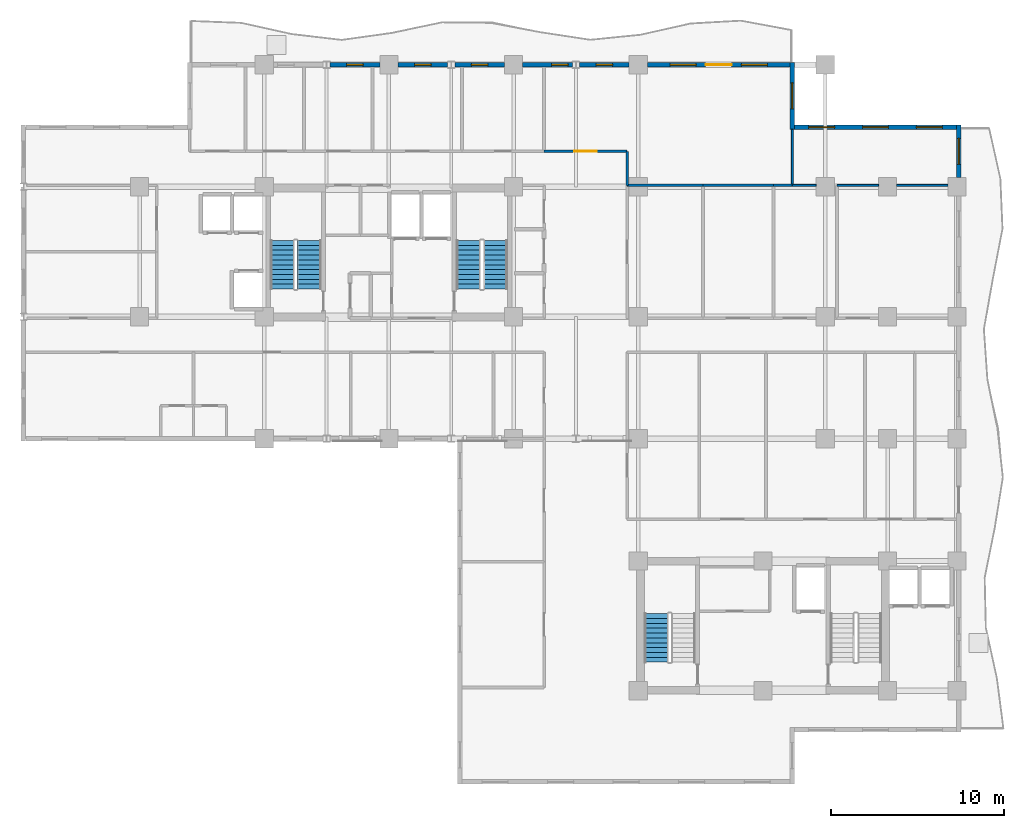
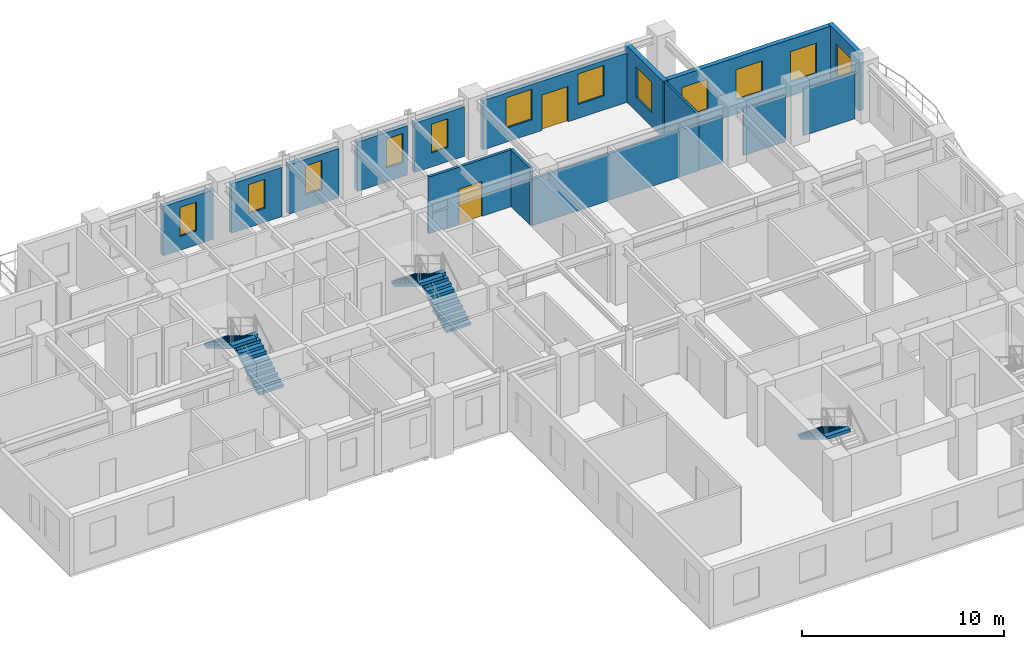
# One storey, part 9 of 13: 18 walls, 12 windows, 5 stair flights, 2 doors, 14 openings, 3 elements without a shape of their own.
"""IFC4 building model written with IfcOpenShell, lengths in metres."""

from ifc_helpers import new_model, si_unit, direction, frame, frame_2d, origin, place, context, subcontext, project, spatial, polyline, rectangle, outline, extrude, material, layer, layer_set, type_object, element, fill, aggregate, save


model = new_model("IFC4")

# Units and contexts
model_context = context("Model", 3, precision=1e-05, world=origin(), true_north=direction((0.0, 1.0)))
body_context = subcontext(model_context, "Body", "Model", "MODEL_VIEW")
ifc_project = project(units=[si_unit("LENGTHUNIT", "METRE"), si_unit("AREAUNIT", "SQUARE_METRE"), si_unit("VOLUMEUNIT", "CUBIC_METRE"), si_unit("PLANEANGLEUNIT", "RADIAN"), si_unit("MASSUNIT", "GRAM", prefix="KILO")], contexts=[model_context])

# Site, building, storey
site_placement = place(None, origin())
site = spatial("IfcSite", under=ifc_project, at=site_placement, CompositionType="ELEMENT")
building_placement = place(site_placement, origin())
building = spatial("IfcBuilding", under=site, at=building_placement, Name="Kaliganga Portal Commons", CompositionType="ELEMENT")
storey_placement = place(building_placement, frame((0.0, 0.0, 166.10009765625)))
storey = spatial("IfcBuildingStorey", under=building, at=storey_placement, Name="L42", CompositionType="ELEMENT", Elevation=166.10009765625)

# Wall, opening, window
ifc_material_1 = material(Name="Insulated Aluminium-Clad Spandrel Assembly", Category="aluminium")
ifc_layer_1 = layer(ifc_material_1, 0.260009765625)
ifc_layer_set_1 = layer_set([ifc_layer_1], Name="Insulated Aluminium-Clad Spandrel Assembly")
wall_type_1 = type_object("IfcWallType", Name="WL-EXT-SPAND-260", PredefinedType="STANDARD", material=ifc_layer_set_1)
wall_1_placement = place(storey_placement, frame((54.5, 39.72998046875, 0.0), z_axis=(0.0, 0.0, 1.0), x_axis=(0.0, -1.0, 0.0)))
wall_1 = element("IfcWall", 1, at=wall_1_placement, inside=storey, type_object=wall_type_1, Name="Exterior Envelope Wall L42 P1-E03-S6", PredefinedType="STANDARD", context=body_context, shape_type="SweptSolid", body=[
    extrude(rectangle(XDim=3.053955078125, YDim=0.260009765625, at=frame_2d((1.52685546875, 0.0))), origin(), (0.0, 0.0, 1.0), 3.43994140625),
])
opening_1_placement = place(wall_1_placement, frame((0.777099609375, 0.0, 0.85009765625)))
opening_1 = element("IfcOpeningElement", 2, at=opening_1_placement, cuts=wall_1, Name="Opening W-02", PredefinedType="OPENING", context=body_context, shape_type="SweptSolid", body=[
    extrude(rectangle(XDim=1.5, YDim=1.85009765625, at=frame_2d((0.75, 0.925048828125))), frame((0.0, 0.14013671875, 0.0), z_axis=(0.0, -1.0, 0.0), x_axis=(1.0, 0.0, 0.0)), (0.0, 0.0, 1.0), 0.280029296875),
])
ifc_material_2 = material(Name="Thermally Broken Aluminium and Low-E Double Glazing", Category="aluminium")
window_type_1 = type_object("IfcWindowType", Name="WIN-STD-1500", PartitioningType="DOUBLE_PANEL_VERTICAL", PredefinedType="WINDOW", material=ifc_material_2)
window_1_placement = place(opening_1_placement, origin())
window_1 = element("IfcWindow", 3, at=window_1_placement, inside=storey, type_object=window_type_1, Name="Facade Window L42-P1E03S6-00", OverallHeight=1.85009765625, OverallWidth=1.5, PartitioningType="SINGLE_PANEL", PredefinedType="WINDOW", context=body_context, shape_type="SweptSolid", body=[
    extrude(rectangle(XDim=1.5, YDim=1.85009765625, at=frame_2d((0.75, 0.925048828125))), frame((0.0, 0.030029296875, 0.0), z_axis=(0.0, -1.0, 0.0), x_axis=(1.0, 0.0, 0.0)), (0.0, 0.0, 1.0), 0.06005859375),
])
fill(opening_1, window_1)

# Wall, openings, windows
wall_2_placement = place(storey_placement, frame((45.034912109375, 39.60009765625, 0.0), z_axis=(0.0, 0.0, 1.0), x_axis=(1.0, 0.0, 0.0)))
wall_2 = element("IfcWall", 4, at=wall_2_placement, inside=storey, type_object=wall_type_1, Name="Exterior Envelope Wall L42 P1-E04-S1", PredefinedType="STANDARD", context=body_context, shape_type="SweptSolid", body=[
    extrude(rectangle(XDim=9.330078125, YDim=0.260009765625, at=frame_2d((4.6650390625, 0.0))), origin(), (0.0, 0.0, 1.0), 3.43994140625),
])
opening_2_placement = place(wall_2_placement, frame((0.804931640625, 0.0, 0.85009765625)))
opening_2 = element("IfcOpeningElement", 5, at=opening_2_placement, cuts=wall_2, Name="Opening W-02", PredefinedType="OPENING", context=body_context, shape_type="SweptSolid", body=[
    extrude(rectangle(XDim=1.5, YDim=1.85009765625, at=frame_2d((0.75, 0.925048828125))), frame((0.0, 0.14013671875, 0.0), z_axis=(0.0, -1.0, 0.0), x_axis=(1.0, 0.0, 0.0)), (0.0, 0.0, 1.0), 0.280029296875),
])
opening_3_placement = place(wall_2_placement, frame((3.9150390625, 0.0, 0.85009765625)))
opening_3 = element("IfcOpeningElement", 6, at=opening_3_placement, cuts=wall_2, Name="Opening W-02", PredefinedType="OPENING", context=body_context, shape_type="SweptSolid", body=[
    extrude(rectangle(XDim=1.5, YDim=1.85009765625, at=frame_2d((0.75, 0.925048828125))), frame((0.0, 0.14013671875, 0.0), z_axis=(0.0, -1.0, 0.0), x_axis=(1.0, 0.0, 0.0)), (0.0, 0.0, 1.0), 0.280029296875),
])
opening_4_placement = place(wall_2_placement, frame((7.02490234375, 0.0, 0.85009765625)))
opening_4 = element("IfcOpeningElement", 7, at=opening_4_placement, cuts=wall_2, Name="Opening W-02", PredefinedType="OPENING", context=body_context, shape_type="SweptSolid", body=[
    extrude(rectangle(XDim=1.5, YDim=1.85009765625, at=frame_2d((0.75, 0.925048828125))), frame((0.0, 0.14013671875, 0.0), z_axis=(0.0, -1.0, 0.0), x_axis=(1.0, 0.0, 0.0)), (0.0, 0.0, 1.0), 0.280029296875),
])
window_2_placement = place(opening_2_placement, origin())
window_2 = element("IfcWindow", 8, at=window_2_placement, inside=storey, type_object=window_type_1, Name="Facade Window L42-P1E04S1-00", OverallHeight=1.85009765625, OverallWidth=1.5, PartitioningType="SINGLE_PANEL", PredefinedType="WINDOW", context=body_context, shape_type="SweptSolid", body=[
    extrude(rectangle(XDim=1.5, YDim=1.85009765625, at=frame_2d((0.75, 0.925048828125))), frame((0.0, 0.030029296875, 0.0), z_axis=(0.0, -1.0, 0.0), x_axis=(1.0, 0.0, 0.0)), (0.0, 0.0, 1.0), 0.06005859375),
])
fill(opening_2, window_2)
window_3_placement = place(opening_3_placement, origin())
window_3 = element("IfcWindow", 9, at=window_3_placement, inside=storey, type_object=window_type_1, Name="Facade Window L42-P1E04S1-01", OverallHeight=1.85009765625, OverallWidth=1.5, PartitioningType="SINGLE_PANEL", PredefinedType="WINDOW", context=body_context, shape_type="SweptSolid", body=[
    extrude(rectangle(XDim=1.5, YDim=1.85009765625, at=frame_2d((0.75, 0.925048828125))), frame((0.0, 0.030029296875, 0.0), z_axis=(0.0, -1.0, 0.0), x_axis=(1.0, 0.0, 0.0)), (0.0, 0.0, 1.0), 0.06005859375),
])
fill(opening_3, window_3)
window_4_placement = place(opening_4_placement, origin())
window_4 = element("IfcWindow", 10, at=window_4_placement, inside=storey, type_object=window_type_1, Name="Facade Window L42-P1E04S1-02", OverallHeight=1.85009765625, OverallWidth=1.5, PartitioningType="SINGLE_PANEL", PredefinedType="WINDOW", context=body_context, shape_type="SweptSolid", body=[
    extrude(rectangle(XDim=1.5, YDim=1.85009765625, at=frame_2d((0.75, 0.925048828125))), frame((0.0, 0.030029296875, 0.0), z_axis=(0.0, -1.0, 0.0), x_axis=(1.0, 0.0, 0.0)), (0.0, 0.0, 1.0), 0.06005859375),
])
fill(opening_4, window_4)

# Wall, opening, window
wall_3_placement = place(storey_placement, frame((44.89990234375, 43.330078125, 0.0), z_axis=(0.0, 0.0, 1.0), x_axis=(0.0, -1.0, 0.0)))
wall_3 = element("IfcWall", 11, at=wall_3_placement, inside=storey, type_object=wall_type_1, Name="Exterior Envelope Wall L42 P1-E05-S1", PredefinedType="STANDARD", context=body_context, shape_type="SweptSolid", body=[
    extrude(rectangle(XDim=3.860107421875, YDim=0.260009765625, at=frame_2d((1.93017578125, 0.0))), origin(), (0.0, 0.0, 1.0), 3.43994140625),
])
opening_5_placement = place(wall_3_placement, frame((1.179931640625, 0.0, 0.85009765625)))
opening_5 = element("IfcOpeningElement", 12, at=opening_5_placement, cuts=wall_3, Name="Opening W-02", PredefinedType="OPENING", context=body_context, shape_type="SweptSolid", body=[
    extrude(rectangle(XDim=1.5, YDim=1.85009765625, at=frame_2d((0.75, 0.925048828125))), frame((0.0, 0.14013671875, 0.0), z_axis=(0.0, -1.0, 0.0), x_axis=(1.0, 0.0, 0.0)), (0.0, 0.0, 1.0), 0.280029296875),
])
window_5_placement = place(opening_5_placement, origin())
window_5 = element("IfcWindow", 13, at=window_5_placement, inside=storey, type_object=window_type_1, Name="Facade Window L42-P1E05S1-00", OverallHeight=1.85009765625, OverallWidth=1.5, PartitioningType="SINGLE_PANEL", PredefinedType="WINDOW", context=body_context, shape_type="SweptSolid", body=[
    extrude(rectangle(XDim=1.5, YDim=1.85009765625, at=frame_2d((0.75, 0.925048828125))), frame((0.0, 0.030029296875, 0.0), z_axis=(0.0, -1.0, 0.0), x_axis=(1.0, 0.0, 0.0)), (0.0, 0.0, 1.0), 0.06005859375),
])
fill(opening_5, window_5)

# Wall, openings, door, windows
wall_4_placement = place(storey_placement, frame((36.52587890625, 43.199951171875, 0.0), z_axis=(0.0, 0.0, 1.0), x_axis=(1.0, 0.0, 0.0)))
wall_4 = element("IfcWall", 14, at=wall_4_placement, inside=storey, type_object=wall_type_1, Name="Exterior Envelope Wall L42 P1-E06-S1", PredefinedType="STANDARD", context=body_context, shape_type="SweptSolid", body=[
    extrude(rectangle(XDim=8.239013671875, YDim=0.260009765625, at=frame_2d((4.11962890625, 0.0))), origin(), (0.0, 0.0, 1.0), 2.989990234375),
])
opening_6_placement = place(wall_4_placement, frame((3.368896484375, 0.0, 0.0)))
opening_6 = element("IfcOpeningElement", 15, at=opening_6_placement, cuts=wall_4, Name="Opening BD-01", PredefinedType="OPENING", context=body_context, shape_type="SweptSolid", body=[
    extrude(rectangle(XDim=1.5, YDim=2.14990234375, at=frame_2d((0.75, 1.074951171875))), frame((0.0, 0.14013671875, 0.0), z_axis=(0.0, -1.0, 0.0), x_axis=(1.0, 0.0, 0.0)), (0.0, 0.0, 1.0), 0.280029296875),
])
opening_7_placement = place(wall_4_placement, frame((1.309814453125, 0.0, 0.85009765625)))
opening_7 = element("IfcOpeningElement", 16, at=opening_7_placement, cuts=wall_4, Name="Opening W-02", PredefinedType="OPENING", context=body_context, shape_type="SweptSolid", body=[
    extrude(rectangle(XDim=1.5, YDim=1.85009765625, at=frame_2d((0.75, 0.925048828125))), frame((0.0, 0.14013671875, 0.0), z_axis=(0.0, -1.0, 0.0), x_axis=(1.0, 0.0, 0.0)), (0.0, 0.0, 1.0), 0.280029296875),
])
opening_8_placement = place(wall_4_placement, frame((5.42919921875, 0.0, 0.85009765625)))
opening_8 = element("IfcOpeningElement", 17, at=opening_8_placement, cuts=wall_4, Name="Opening W-02", PredefinedType="OPENING", context=body_context, shape_type="SweptSolid", body=[
    extrude(rectangle(XDim=1.5, YDim=1.85009765625, at=frame_2d((0.75, 0.925048828125))), frame((0.0, 0.14013671875, 0.0), z_axis=(0.0, -1.0, 0.0), x_axis=(1.0, 0.0, 0.0)), (0.0, 0.0, 1.0), 0.280029296875),
])
ifc_material_3 = material(Name="Anodized Aluminium and Laminated Safety Glass", Category="aluminium")
door_type_1 = type_object("IfcDoorType", Name="DR-BALC-1500", OperationType="SLIDING_TO_LEFT", PredefinedType="DOOR", material=ifc_material_3)
door_1_placement = place(opening_6_placement, origin())
door_1 = element("IfcDoor", 18, at=door_1_placement, inside=storey, type_object=door_type_1, Name="Balcony Sliding Door L42 balc_north", OperationType="SLIDING_TO_LEFT", OverallHeight=2.14990234375, OverallWidth=1.5, PredefinedType="DOOR", context=body_context, shape_type="SweptSolid", body=[
    extrude(rectangle(XDim=1.5, YDim=2.14990234375, at=frame_2d((0.75, 1.074951171875))), frame((0.0, 0.02490234375, 0.0), z_axis=(0.0, -1.0, 0.0), x_axis=(1.0, 0.0, 0.0)), (0.0, 0.0, 1.0), 0.050048828125),
])
fill(opening_6, door_1)
window_6_placement = place(opening_7_placement, origin())
window_6 = element("IfcWindow", 19, at=window_6_placement, inside=storey, type_object=window_type_1, Name="Facade Window L42-P1E06S1-00", OverallHeight=1.85009765625, OverallWidth=1.5, PartitioningType="SINGLE_PANEL", PredefinedType="WINDOW", context=body_context, shape_type="SweptSolid", body=[
    extrude(rectangle(XDim=1.5, YDim=1.85009765625, at=frame_2d((0.75, 0.925048828125))), frame((0.0, 0.030029296875, 0.0), z_axis=(0.0, -1.0, 0.0), x_axis=(1.0, 0.0, 0.0)), (0.0, 0.0, 1.0), 0.06005859375),
])
fill(opening_7, window_6)
window_7_placement = place(opening_8_placement, origin())
window_7 = element("IfcWindow", 20, at=window_7_placement, inside=storey, type_object=window_type_1, Name="Facade Window L42-P1E06S1-01", OverallHeight=1.85009765625, OverallWidth=1.5, PartitioningType="SINGLE_PANEL", PredefinedType="WINDOW", context=body_context, shape_type="SweptSolid", body=[
    extrude(rectangle(XDim=1.5, YDim=1.85009765625, at=frame_2d((0.75, 0.925048828125))), frame((0.0, 0.030029296875, 0.0), z_axis=(0.0, -1.0, 0.0), x_axis=(1.0, 0.0, 0.0)), (0.0, 0.0, 1.0), 0.06005859375),
])
fill(opening_8, window_7)

# Wall, opening, window
wall_5_placement = place(storey_placement, frame((32.60302734375, 43.199951171875, 0.0), z_axis=(0.0, 0.0, 1.0), x_axis=(1.0, 0.0, 0.0)))
wall_5 = element("IfcWall", 21, at=wall_5_placement, inside=storey, type_object=wall_type_1, Name="Exterior Envelope Wall L42 P1-E06-S2", PredefinedType="STANDARD", context=body_context, shape_type="SweptSolid", body=[
    extrude(rectangle(XDim=2.87109375, YDim=0.260009765625, at=frame_2d((1.435546875, 0.0))), origin(), (0.0, 0.0, 1.0), 2.989990234375),
])
opening_9_placement = place(wall_5_placement, frame((0.96044921875, 0.0, 0.85009765625)))
opening_9 = element("IfcOpeningElement", 22, at=opening_9_placement, cuts=wall_5, Name="Opening W-04", PredefinedType="OPENING", context=body_context, shape_type="SweptSolid", body=[
    extrude(rectangle(XDim=0.949951171875, YDim=1.75, at=frame_2d((0.47509765625, 0.875))), frame((0.0, 0.14013671875, 0.0), z_axis=(0.0, -1.0, 0.0), x_axis=(1.0, 0.0, 0.0)), (0.0, 0.0, 1.0), 0.280029296875),
])
window_type_2 = type_object("IfcWindowType", Name="WIN-NARROW-950", PartitioningType="SINGLE_PANEL", PredefinedType="WINDOW", material=ifc_material_2)
window_8_placement = place(opening_9_placement, origin())
window_8 = element("IfcWindow", 23, at=window_8_placement, inside=storey, type_object=window_type_2, Name="Facade Window L42-P1E06S2-00", OverallHeight=1.75, OverallWidth=0.949951171875, PartitioningType="SINGLE_PANEL", PredefinedType="WINDOW", context=body_context, shape_type="SweptSolid", body=[
    extrude(rectangle(XDim=0.949951171875, YDim=1.75, at=frame_2d((0.47509765625, 0.875))), frame((0.0, 0.030029296875, 0.0), z_axis=(0.0, -1.0, 0.0), x_axis=(1.0, 0.0, 0.0)), (0.0, 0.0, 1.0), 0.06005859375),
])
fill(opening_9, window_8)

wall_6_placement = place(storey_placement, frame((29.325927734375, 43.199951171875, 0.0), z_axis=(0.0, 0.0, 1.0), x_axis=(1.0, 0.0, 0.0)))
wall_6 = element("IfcWall", 24, at=wall_6_placement, inside=storey, type_object=wall_type_1, Name="Exterior Envelope Wall L42 P1-E06-S3", PredefinedType="STANDARD", context=body_context, shape_type="SweptSolid", body=[
    extrude(rectangle(XDim=2.87109375, YDim=0.260009765625, at=frame_2d((1.435546875, 0.0))), origin(), (0.0, 0.0, 1.0), 2.989990234375),
])
opening_10_placement = place(wall_6_placement, frame((1.672607421875, 0.0, 0.85009765625)))
opening_10 = element("IfcOpeningElement", 25, at=opening_10_placement, cuts=wall_6, Name="Opening W-04", PredefinedType="OPENING", context=body_context, shape_type="SweptSolid", body=[
    extrude(rectangle(XDim=0.949951171875, YDim=1.75, at=frame_2d((0.47509765625, 0.875))), frame((0.0, 0.14013671875, 0.0), z_axis=(0.0, -1.0, 0.0), x_axis=(1.0, 0.0, 0.0)), (0.0, 0.0, 1.0), 0.280029296875),
])
window_9_placement = place(opening_10_placement, origin())
window_9 = element("IfcWindow", 26, at=window_9_placement, inside=storey, type_object=window_type_2, Name="Facade Window L42-P1E06S3-N2", OverallHeight=1.75, OverallWidth=0.949951171875, PartitioningType="SINGLE_PANEL", PredefinedType="WINDOW", context=body_context, shape_type="SweptSolid", body=[
    extrude(rectangle(XDim=0.949951171875, YDim=1.75, at=frame_2d((0.47509765625, 0.875))), frame((0.0, 0.030029296875, 0.0), z_axis=(0.0, -1.0, 0.0), x_axis=(1.0, 0.0, 0.0)), (0.0, 0.0, 1.0), 0.06005859375),
])
fill(opening_10, window_9)

wall_7_placement = place(storey_placement, frame((25.403076171875, 43.199951171875, 0.0), z_axis=(0.0, 0.0, 1.0), x_axis=(1.0, 0.0, 0.0)))
wall_7 = element("IfcWall", 27, at=wall_7_placement, inside=storey, type_object=wall_type_1, Name="Exterior Envelope Wall L42 P1-E06-S4", PredefinedType="STANDARD", context=body_context, shape_type="SweptSolid", body=[
    extrude(rectangle(XDim=2.870849609375, YDim=0.260009765625, at=frame_2d((1.435546875, 0.0))), origin(), (0.0, 0.0, 1.0), 2.989990234375),
])
opening_11_placement = place(wall_7_placement, frame((0.96044921875, 0.0, 0.85009765625)))
opening_11 = element("IfcOpeningElement", 28, at=opening_11_placement, cuts=wall_7, Name="Opening W-04", PredefinedType="OPENING", context=body_context, shape_type="SweptSolid", body=[
    extrude(rectangle(XDim=0.949951171875, YDim=1.75, at=frame_2d((0.47509765625, 0.875))), frame((0.0, 0.14013671875, 0.0), z_axis=(0.0, -1.0, 0.0), x_axis=(1.0, 0.0, 0.0)), (0.0, 0.0, 1.0), 0.280029296875),
])
window_10_placement = place(opening_11_placement, origin())
window_10 = element("IfcWindow", 29, at=window_10_placement, inside=storey, type_object=window_type_2, Name="Facade Window L42-P1E06S4-00", OverallHeight=1.75, OverallWidth=0.949951171875, PartitioningType="SINGLE_PANEL", PredefinedType="WINDOW", context=body_context, shape_type="SweptSolid", body=[
    extrude(rectangle(XDim=0.949951171875, YDim=1.75, at=frame_2d((0.47509765625, 0.875))), frame((0.0, 0.030029296875, 0.0), z_axis=(0.0, -1.0, 0.0), x_axis=(1.0, 0.0, 0.0)), (0.0, 0.0, 1.0), 0.06005859375),
])
fill(opening_11, window_10)

wall_8_placement = place(storey_placement, frame((22.1259765625, 43.199951171875, 0.0), z_axis=(0.0, 0.0, 1.0), x_axis=(1.0, 0.0, 0.0)))
wall_8 = element("IfcWall", 30, at=wall_8_placement, inside=storey, type_object=wall_type_1, Name="Exterior Envelope Wall L42 P1-E06-S5", PredefinedType="STANDARD", context=body_context, shape_type="SweptSolid", body=[
    extrude(rectangle(XDim=2.87109375, YDim=0.260009765625, at=frame_2d((1.435546875, 0.0))), origin(), (0.0, 0.0, 1.0), 2.989990234375),
])
opening_12_placement = place(wall_8_placement, frame((0.96044921875, 0.0, 0.85009765625)))
opening_12 = element("IfcOpeningElement", 31, at=opening_12_placement, cuts=wall_8, Name="Opening W-04", PredefinedType="OPENING", context=body_context, shape_type="SweptSolid", body=[
    extrude(rectangle(XDim=0.949951171875, YDim=1.75, at=frame_2d((0.47509765625, 0.875))), frame((0.0, 0.14013671875, 0.0), z_axis=(0.0, -1.0, 0.0), x_axis=(1.0, 0.0, 0.0)), (0.0, 0.0, 1.0), 0.280029296875),
])
window_11_placement = place(opening_12_placement, origin())
window_11 = element("IfcWindow", 32, at=window_11_placement, inside=storey, type_object=window_type_2, Name="Facade Window L42-P1E06S5-00", OverallHeight=1.75, OverallWidth=0.949951171875, PartitioningType="SINGLE_PANEL", PredefinedType="WINDOW", context=body_context, shape_type="SweptSolid", body=[
    extrude(rectangle(XDim=0.949951171875, YDim=1.75, at=frame_2d((0.47509765625, 0.875))), frame((0.0, 0.030029296875, 0.0), z_axis=(0.0, -1.0, 0.0), x_axis=(1.0, 0.0, 0.0)), (0.0, 0.0, 1.0), 0.06005859375),
])
fill(opening_12, window_11)

wall_9_placement = place(storey_placement, frame((18.202880859375, 43.199951171875, 0.0), z_axis=(0.0, 0.0, 1.0), x_axis=(1.0, 0.0, 0.0)))
wall_9 = element("IfcWall", 33, at=wall_9_placement, inside=storey, type_object=wall_type_1, Name="Exterior Envelope Wall L42 P1-E06-S6", PredefinedType="STANDARD", context=body_context, shape_type="SweptSolid", body=[
    extrude(rectangle(XDim=2.87109375, YDim=0.260009765625, at=frame_2d((1.435546875, 0.0))), origin(), (0.0, 0.0, 1.0), 2.989990234375),
])
opening_13_placement = place(wall_9_placement, frame((0.96044921875, 0.0, 0.85009765625)))
opening_13 = element("IfcOpeningElement", 34, at=opening_13_placement, cuts=wall_9, Name="Opening W-04", PredefinedType="OPENING", context=body_context, shape_type="SweptSolid", body=[
    extrude(rectangle(XDim=0.949951171875, YDim=1.75, at=frame_2d((0.47509765625, 0.875))), frame((0.0, 0.14013671875, 0.0), z_axis=(0.0, -1.0, 0.0), x_axis=(1.0, 0.0, 0.0)), (0.0, 0.0, 1.0), 0.280029296875),
])
window_12_placement = place(opening_13_placement, origin())
window_12 = element("IfcWindow", 35, at=window_12_placement, inside=storey, type_object=window_type_2, Name="Facade Window L42-P1E06S6-00", OverallHeight=1.75, OverallWidth=0.949951171875, PartitioningType="SINGLE_PANEL", PredefinedType="WINDOW", context=body_context, shape_type="SweptSolid", body=[
    extrude(rectangle(XDim=0.949951171875, YDim=1.75, at=frame_2d((0.47509765625, 0.875))), frame((0.0, 0.030029296875, 0.0), z_axis=(0.0, -1.0, 0.0), x_axis=(1.0, 0.0, 0.0)), (0.0, 0.0, 1.0), 0.06005859375),
])
fill(opening_13, window_12)

# Wall, opening, door
ifc_material_4 = material(Name="Fire-Rated Gypsum Board on Steel Stud", Category="steel")
ifc_layer_2 = layer(ifc_material_4, 0.14990234375)
ifc_layer_set_2 = layer_set([ifc_layer_2], Name="Fire-Rated Gypsum Board on Steel Stud")
wall_type_2 = type_object("IfcWallType", Name="WL-PART-CORR-150", PredefinedType="PARTITIONING", material=ifc_layer_set_2)
wall_10_placement = place(storey_placement, frame((30.56005859375, 38.199951171875, 0.0), z_axis=(0.0, 0.0, 1.0), x_axis=(1.0, 0.0, 0.0)))
wall_10 = element("IfcWall", 36, at=wall_10_placement, inside=storey, type_object=wall_type_2, Name="Interior Partition L42-022", PredefinedType="PARTITIONING", context=body_context, shape_type="SweptSolid", body=[
    extrude(rectangle(XDim=4.800048828125, YDim=0.14990234375, at=frame_2d((2.39990234375, 0.0))), origin(), (0.0, 0.0, 1.0), 3.43994140625),
])
opening_14_placement = place(wall_10_placement, frame((1.75, 0.0, 0.0)))
opening_14 = element("IfcOpeningElement", 37, at=opening_14_placement, cuts=wall_10, Name="Opening RD-03", PredefinedType="OPENING", context=body_context, shape_type="SweptSolid", body=[
    extrude(rectangle(XDim=1.300048828125, YDim=2.1201171875, at=frame_2d((0.64990234375, 1.06005859375))), frame((0.0, 0.0849609375, 0.0), z_axis=(0.0, -1.0, 0.0), x_axis=(1.0, 0.0, 0.0)), (0.0, 0.0, 1.0), 0.169921875),
])
ifc_material_5 = material(Name="Glazed Timber Seminar Vision Door", Category="wood")
door_type_2 = type_object("IfcDoorType", Name="DR-STUDY-1300", OperationType="DOUBLE_DOOR_SINGLE_SWING", PredefinedType="DOOR", material=ifc_material_5)
door_2_placement = place(opening_14_placement, origin())
door_2 = element("IfcDoor", 38, at=door_2_placement, inside=storey, type_object=door_type_2, Name="Interior Door L42-ANE01", OperationType="DOUBLE_DOOR_SINGLE_SWING", OverallHeight=2.1201171875, OverallWidth=1.300048828125, PredefinedType="DOOR", context=body_context, shape_type="SweptSolid", body=[
    extrude(rectangle(XDim=1.300048828125, YDim=2.1201171875, at=frame_2d((0.64990234375, 1.06005859375))), frame((0.0, 0.02490234375, 0.0), z_axis=(0.0, -1.0, 0.0), x_axis=(1.0, 0.0, 0.0)), (0.0, 0.0, 1.0), 0.050048828125),
])
fill(opening_14, door_2)

# Walls
wall_11_placement = place(storey_placement, frame((35.360107421875, 36.239990234375, 0.0), z_axis=(0.0, 0.0, 1.0), x_axis=(0.0, 1.0, 0.0)))
element("IfcWall", 39, at=wall_11_placement, inside=storey, type_object=wall_type_2, Name="Interior Partition L42-049", PredefinedType="PARTITIONING", context=body_context, shape_type="SweptSolid", body=[
    extrude(rectangle(XDim=1.9599609375, YDim=0.14990234375, at=frame_2d((0.97998046875, 0.0))), origin(), (0.0, 0.0, 1.0), 3.43994140625),
])
ifc_material_6 = material(Name="Moisture-Resistant Gypsum Partition", Category="gypsum")
ifc_layer_3 = layer(ifc_material_6, 0.114990234375)
ifc_layer_set_3 = layer_set([ifc_layer_3], Name="Moisture-Resistant Gypsum Partition")
wall_type_3 = type_object("IfcWallType", Name="WL-PART-ROOM-115", PredefinedType="PARTITIONING", material=ifc_layer_set_3)
wall_12_placement = place(storey_placement, frame((47.47998046875, 36.239990234375, 0.0), z_axis=(0.0, 0.0, 1.0), x_axis=(1.0, 0.0, 0.0)))
element("IfcWall", 40, at=wall_12_placement, inside=storey, type_object=wall_type_3, Name="Interior Partition L42-068", PredefinedType="PARTITIONING", context=body_context, shape_type="SweptSolid", body=[
    extrude(rectangle(XDim=2.39501953125, YDim=0.114990234375, at=frame_2d((1.197509765625, 0.0))), origin(), (0.0, 0.0, 1.0), 2.83984375),
])
wall_13_placement = place(storey_placement, frame((50.925048828125, 36.239990234375, 0.0), z_axis=(0.0, 0.0, 1.0), x_axis=(1.0, 0.0, 0.0)))
element("IfcWall", 41, at=wall_13_placement, inside=storey, type_object=wall_type_3, Name="Interior Partition L42-069", PredefinedType="PARTITIONING", context=body_context, shape_type="SweptSolid", body=[
    extrude(rectangle(XDim=2.949951171875, YDim=0.114990234375, at=frame_2d((1.47509765625, 0.0))), origin(), (0.0, 0.0, 1.0), 2.83984375),
])
wall_14_placement = place(storey_placement, frame((44.89990234375, 36.239990234375, 0.0), z_axis=(0.0, 0.0, 1.0), x_axis=(0.0, 1.0, 0.0)))
element("IfcWall", 42, at=wall_14_placement, inside=storey, type_object=wall_type_3, Name="Interior Partition L42-070", PredefinedType="PARTITIONING", context=body_context, shape_type="SweptSolid", body=[
    extrude(rectangle(XDim=3.22802734375, YDim=0.114990234375, at=frame_2d((1.614013671875, 0.0))), origin(), (0.0, 0.0, 1.0), 3.43994140625),
])
wall_15_placement = place(storey_placement, frame((44.89990234375, 36.239990234375, 0.0), z_axis=(0.0, 0.0, 1.0), x_axis=(1.0, 0.0, 0.0)))
element("IfcWall", 43, at=wall_15_placement, inside=storey, type_object=wall_type_3, Name="Interior Partition L42-088", PredefinedType="PARTITIONING", context=body_context, shape_type="SweptSolid", body=[
    extrude(rectangle(XDim=1.375, YDim=0.114990234375, at=frame_2d((0.6875, 0.0))), origin(), (0.0, 0.0, 1.0), 2.83984375),
])
ifc_material_7 = material(Name="Twin-Stud Acoustic Gypsum Partition", Category="gypsum")
ifc_layer_4 = layer(ifc_material_7, 0.1650390625)
ifc_layer_set_4 = layer_set([ifc_layer_4], Name="Twin-Stud Acoustic Gypsum Partition")
wall_type_4 = type_object("IfcWallType", Name="WL-PART-UNIT-165", PredefinedType="PARTITIONING", material=ifc_layer_set_4)
wall_16_placement = place(storey_placement, frame((35.360107421875, 36.239990234375, 0.0), z_axis=(0.0, 0.0, 1.0), x_axis=(1.0, 0.0, 0.0)))
element("IfcWall", 44, at=wall_16_placement, inside=storey, type_object=wall_type_4, Name="Interior Partition L42-080", PredefinedType="PARTITIONING", context=body_context, shape_type="SweptSolid", body=[
    extrude(rectangle(XDim=4.3798828125, YDim=0.1650390625, at=frame_2d((2.18994140625, 0.0))), origin(), (0.0, 0.0, 1.0), 2.83984375),
])
wall_17_placement = place(storey_placement, frame((39.739990234375, 36.239990234375, 0.0), z_axis=(0.0, 0.0, 1.0), x_axis=(1.0, 0.0, 0.0)))
element("IfcWall", 45, at=wall_17_placement, inside=storey, type_object=wall_type_4, Name="Interior Partition L42-082", PredefinedType="PARTITIONING", context=body_context, shape_type="SweptSolid", body=[
    extrude(rectangle(XDim=4.06005859375, YDim=0.1650390625, at=frame_2d((2.030029296875, 0.0))), origin(), (0.0, 0.0, 1.0), 2.83984375),
])
wall_18_placement = place(storey_placement, frame((43.800048828125, 36.239990234375, 0.0), z_axis=(0.0, 0.0, 1.0), x_axis=(1.0, 0.0, 0.0)))
element("IfcWall", 46, at=wall_18_placement, inside=storey, type_object=wall_type_4, Name="Interior Partition L42-094", PredefinedType="PARTITIONING", context=body_context, shape_type="SweptSolid", body=[
    extrude(rectangle(XDim=1.099853515625, YDim=0.1650390625, at=frame_2d((0.5498046875, 0.0))), origin(), (0.0, 0.0, 1.0), 2.83984375),
])

# Stair, stair flights
ifc_material_8 = material(Name="Concrete C40/50", Category="concrete")
stair_type = type_object("IfcStairType", Name="ST-CORE-DOGLEG", PredefinedType="HALF_TURN_STAIR", material=ifc_material_8)
stair_1_placement = place(storey_placement, origin())
stair_1 = element("IfcStair", 47, at=stair_1_placement, inside=storey, type_object=stair_type, Name="L42 Protected Exit Stair ST-A1", PredefinedType="HALF_TURN_STAIR")
stair_flight_type = type_object("IfcStairFlightType", Name="STF-RC-1400", PredefinedType="STRAIGHT", material=ifc_material_8)
stair_flight_1_placement = place(storey_placement, frame((17.0, 30.25, 0.0), z_axis=(0.0, 0.0, 1.0), x_axis=(0.0, 1.0, 0.0)))
stair_flight_1 = element("IfcStairFlight", 48, at=stair_flight_1_placement, type_object=stair_flight_type, Name="ST-A1 flight 1", NumberOfRisers=11, NumberOfTreads=10, PredefinedType="STRAIGHT", RiserHeight=0.168181818, TreadLength=0.28, context=body_context, shape_type="SweptSolid", body=[
    extrude(outline(polyline([(0.0, 0.0), (0.0, 0.168212890625), (0.280029296875, 0.168212890625), (0.280029296875, 0.33642578125), (0.56005859375, 0.33642578125), (0.56005859375, 0.504638671875), (0.840087890625, 0.504638671875), (0.840087890625, 0.672607421875), (1.1201171875, 0.672607421875), (1.1201171875, 0.8408203125), (1.39990234375, 0.8408203125), (1.39990234375, 1.009033203125), (1.679931640625, 1.009033203125), (1.679931640625, 1.17724609375), (1.9599609375, 1.17724609375), (1.9599609375, 1.345458984375), (2.239990234375, 1.345458984375), (2.239990234375, 1.513671875), (2.52001953125, 1.513671875), (2.52001953125, 1.681884765625), (2.800048828125, 1.681884765625), (2.800048828125, 1.85009765625), (2.800048828125, 1.5068359375), (0.291015625, 0.0), (0.0, 0.0)])), frame((0.0, 0.699951171875, 0.0), z_axis=(0.0, -1.0, 0.0), x_axis=(1.0, 0.0, 0.0)), (0.0, 0.0, 1.0), 1.39990234375),
])
stair_flight_2_placement = place(storey_placement, frame((15.449951171875, 33.050048828125, 1.849853515625), z_axis=(0.0, 0.0, 1.0), x_axis=(0.0, -1.0, 0.0)))
stair_flight_2 = element("IfcStairFlight", 49, at=stair_flight_2_placement, type_object=stair_flight_type, Name="ST-A1 flight 2", NumberOfRisers=11, NumberOfTreads=10, PredefinedType="STRAIGHT", RiserHeight=0.168181818, TreadLength=0.28, context=body_context, shape_type="SweptSolid", body=[
    extrude(outline(polyline([(0.0, 0.0), (0.0, 0.168212890625), (0.280029296875, 0.168212890625), (0.280029296875, 0.33642578125), (0.56005859375, 0.33642578125), (0.56005859375, 0.504638671875), (0.840087890625, 0.504638671875), (0.840087890625, 0.672607421875), (1.1201171875, 0.672607421875), (1.1201171875, 0.8408203125), (1.39990234375, 0.8408203125), (1.39990234375, 1.009033203125), (1.679931640625, 1.009033203125), (1.679931640625, 1.17724609375), (1.9599609375, 1.17724609375), (1.9599609375, 1.345458984375), (2.239990234375, 1.345458984375), (2.239990234375, 1.513671875), (2.52001953125, 1.513671875), (2.52001953125, 1.681884765625), (2.800048828125, 1.681884765625), (2.800048828125, 1.85009765625), (2.800048828125, 1.5068359375), (0.291015625, 0.0), (0.0, 0.0)])), frame((0.0, 0.699951171875, 0.0), z_axis=(0.0, -1.0, 0.0), x_axis=(1.0, 0.0, 0.0)), (0.0, 0.0, 1.0), 1.39990234375),
])
aggregate(stair_1, [stair_flight_1, stair_flight_2])

stair_2_placement = place(storey_placement, origin())
stair_2 = element("IfcStair", 50, at=stair_2_placement, inside=storey, type_object=stair_type, Name="L42 Protected Exit Stair ST-A2", PredefinedType="HALF_TURN_STAIR")
stair_flight_3_placement = place(storey_placement, frame((27.75, 30.25, 0.0), z_axis=(0.0, 0.0, 1.0), x_axis=(0.0, 1.0, 0.0)))
stair_flight_3 = element("IfcStairFlight", 51, at=stair_flight_3_placement, type_object=stair_flight_type, Name="ST-A2 flight 1", NumberOfRisers=11, NumberOfTreads=10, PredefinedType="STRAIGHT", RiserHeight=0.168181818, TreadLength=0.28, context=body_context, shape_type="SweptSolid", body=[
    extrude(outline(polyline([(0.0, 0.0), (0.0, 0.168212890625), (0.280029296875, 0.168212890625), (0.280029296875, 0.33642578125), (0.56005859375, 0.33642578125), (0.56005859375, 0.504638671875), (0.840087890625, 0.504638671875), (0.840087890625, 0.672607421875), (1.1201171875, 0.672607421875), (1.1201171875, 0.8408203125), (1.39990234375, 0.8408203125), (1.39990234375, 1.009033203125), (1.679931640625, 1.009033203125), (1.679931640625, 1.17724609375), (1.9599609375, 1.17724609375), (1.9599609375, 1.345458984375), (2.239990234375, 1.345458984375), (2.239990234375, 1.513671875), (2.52001953125, 1.513671875), (2.52001953125, 1.681884765625), (2.800048828125, 1.681884765625), (2.800048828125, 1.85009765625), (2.800048828125, 1.5068359375), (0.291015625, 0.0), (0.0, 0.0)])), frame((0.0, 0.699951171875, 0.0), z_axis=(0.0, -1.0, 0.0), x_axis=(1.0, 0.0, 0.0)), (0.0, 0.0, 1.0), 1.39990234375),
])
stair_flight_4_placement = place(storey_placement, frame((26.199951171875, 33.050048828125, 1.849853515625), z_axis=(0.0, 0.0, 1.0), x_axis=(0.0, -1.0, 0.0)))
stair_flight_4 = element("IfcStairFlight", 52, at=stair_flight_4_placement, type_object=stair_flight_type, Name="ST-A2 flight 2", NumberOfRisers=11, NumberOfTreads=10, PredefinedType="STRAIGHT", RiserHeight=0.168181818, TreadLength=0.28, context=body_context, shape_type="SweptSolid", body=[
    extrude(outline(polyline([(0.0, 0.0), (0.0, 0.168212890625), (0.280029296875, 0.168212890625), (0.280029296875, 0.33642578125), (0.56005859375, 0.33642578125), (0.56005859375, 0.504638671875), (0.840087890625, 0.504638671875), (0.840087890625, 0.672607421875), (1.1201171875, 0.672607421875), (1.1201171875, 0.8408203125), (1.39990234375, 0.8408203125), (1.39990234375, 1.009033203125), (1.679931640625, 1.009033203125), (1.679931640625, 1.17724609375), (1.9599609375, 1.17724609375), (1.9599609375, 1.345458984375), (2.239990234375, 1.345458984375), (2.239990234375, 1.513671875), (2.52001953125, 1.513671875), (2.52001953125, 1.681884765625), (2.800048828125, 1.681884765625), (2.800048828125, 1.85009765625), (2.800048828125, 1.5068359375), (0.291015625, 0.0), (0.0, 0.0)])), frame((0.0, 0.699951171875, 0.0), z_axis=(0.0, -1.0, 0.0), x_axis=(1.0, 0.0, 0.0)), (0.0, 0.0, 1.0), 1.39990234375),
])
aggregate(stair_2, [stair_flight_3, stair_flight_4])

# Stair, stair flight
stair_3_placement = place(storey_placement, origin())
stair_3 = element("IfcStair", 53, at=stair_3_placement, inside=storey, type_object=stair_type, Name="L42 Protected Exit Stair ST-B1", PredefinedType="HALF_TURN_STAIR")
stair_flight_5_placement = place(storey_placement, frame((37.050048828125, 11.5, 1.849853515625), z_axis=(0.0, 0.0, 1.0), x_axis=(0.0, -1.0, 0.0)))
stair_flight_5 = element("IfcStairFlight", 54, at=stair_flight_5_placement, type_object=stair_flight_type, Name="ST-B1 flight 2", NumberOfRisers=11, NumberOfTreads=10, PredefinedType="STRAIGHT", RiserHeight=0.168181818, TreadLength=0.28, context=body_context, shape_type="SweptSolid", body=[
    extrude(outline(polyline([(0.0, 0.0), (0.0, 0.168212890625), (0.280029296875, 0.168212890625), (0.280029296875, 0.33642578125), (0.56005859375, 0.33642578125), (0.56005859375, 0.504638671875), (0.840087890625, 0.504638671875), (0.840087890625, 0.672607421875), (1.1201171875, 0.672607421875), (1.1201171875, 0.8408203125), (1.39990234375, 0.8408203125), (1.39990234375, 1.009033203125), (1.679931640625, 1.009033203125), (1.679931640625, 1.17724609375), (1.9599609375, 1.17724609375), (1.9599609375, 1.345458984375), (2.239990234375, 1.345458984375), (2.239990234375, 1.513671875), (2.52001953125, 1.513671875), (2.52001953125, 1.681884765625), (2.800048828125, 1.681884765625), (2.800048828125, 1.85009765625), (2.800048828125, 1.5068359375), (0.291015625, 0.0), (0.0, 0.0)])), frame((0.0, 0.699951171875, 0.0), z_axis=(0.0, -1.0, 0.0), x_axis=(1.0, 0.0, 0.0)), (0.0, 0.0, 1.0), 1.39990234375),
])
aggregate(stair_3, [stair_flight_5])

save(model, "model.ifc")
